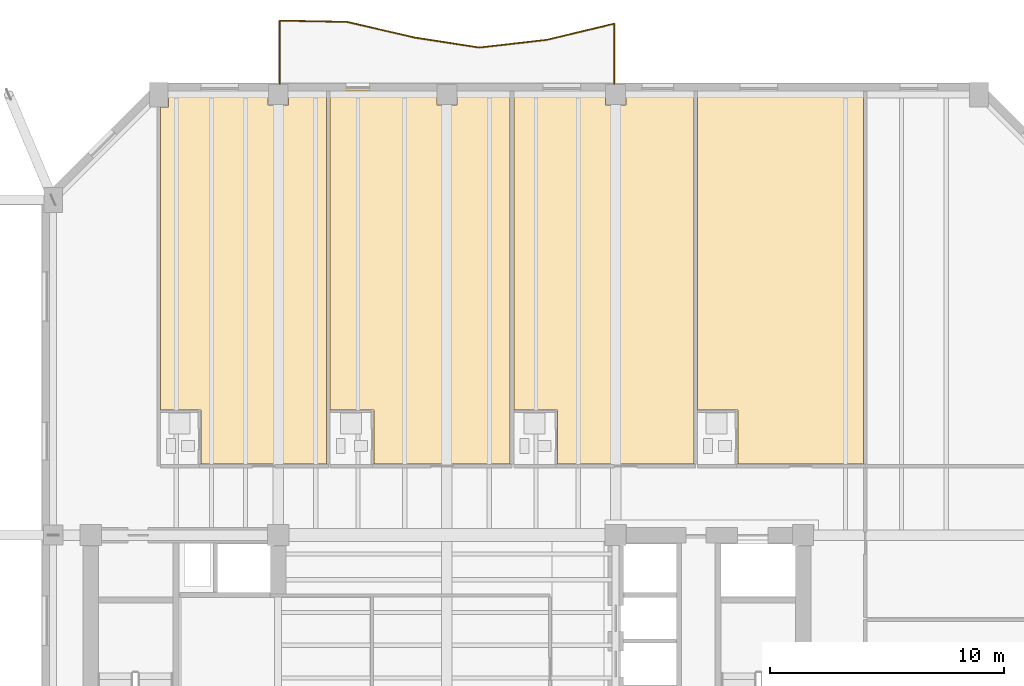
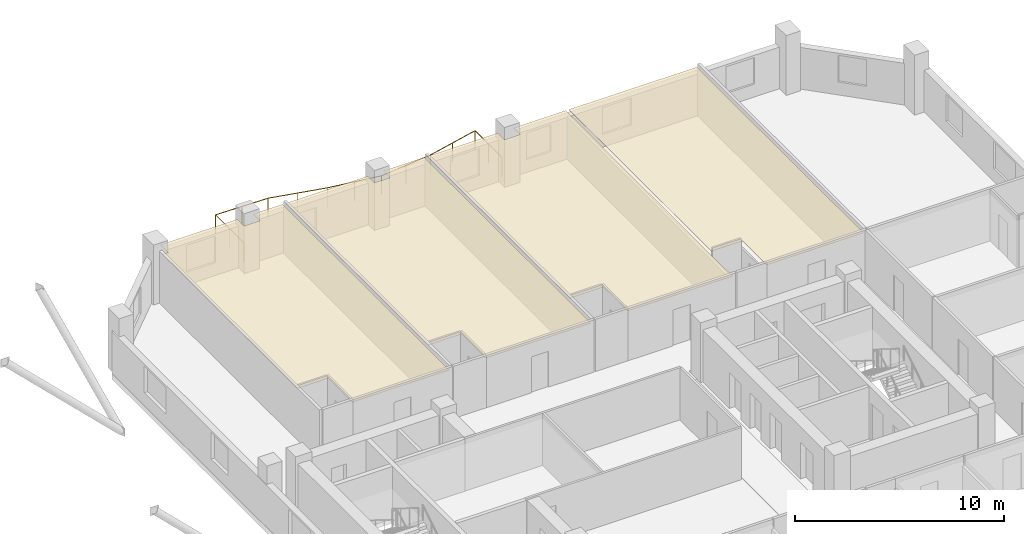
# One storey, part 12 of 13: 4 coverings, 1 railing.
"""IFC4 building model written with IfcOpenShell, lengths in metres."""

from ifc_helpers import new_model, si_unit, direction, frame, origin, origin_2d, place, context, subcontext, project, spatial, polyline, circle, outline, extrude, material, layer, layer_set, type_object, element, save


model = new_model("IFC4")

# Units and contexts
model_context = context("Model", 3, precision=1e-05, world=origin(), true_north=direction((0.0, 1.0)))
body_context = subcontext(model_context, "Body", "Model", "MODEL_VIEW")
ifc_project = project(units=[si_unit("LENGTHUNIT", "METRE"), si_unit("AREAUNIT", "SQUARE_METRE"), si_unit("VOLUMEUNIT", "CUBIC_METRE"), si_unit("PLANEANGLEUNIT", "RADIAN"), si_unit("MASSUNIT", "GRAM", prefix="KILO")], contexts=[model_context])

# Site, building, storey
site_placement = place(None, origin())
site = spatial("IfcSite", under=ifc_project, at=site_placement, CompositionType="ELEMENT")
building_placement = place(site_placement, origin())
building = spatial("IfcBuilding", under=site, at=building_placement, Name="Kranthara Brick Stack", CompositionType="ELEMENT")
storey_placement = place(building_placement, frame((0.0, 0.0, 179.800048828125)))
storey = spatial("IfcBuildingStorey", under=building, at=storey_placement, Name="L46", CompositionType="ELEMENT", Elevation=179.800048828125)

# Coverings
ifc_material_1 = material(Name="Perforated mineral-fibre acoustic ceiling tile", Category="other")
ifc_layer = layer(ifc_material_1, 0.02490234375)
ifc_layer_set = layer_set([ifc_layer], Name="Perforated mineral-fibre acoustic ceiling tile")
covering_type = type_object("IfcCoveringType", Name="COV-CEIL-ACOUSTIC", PredefinedType="CEILING", material=ifc_layer_set)
covering_1_placement = place(storey_placement, frame((0.0, 0.0, 2.780029296875)))
element("IfcCovering", 1, at=covering_1_placement, inside=storey, type_object=covering_type, Name="L46 Room L46-07 Corner Junior Suite Acoustic Ceiling", PredefinedType="CEILING", context=body_context, shape_type="SweptSolid", body=[
    extrude(outline(polyline([(22.85595703125, 36.6298828125), (17.49658203125, 36.6298828125), (17.49658203125, 38.93994140625), (15.780029296875, 38.93994140625), (15.780029296875, 51.864990234375), (16.110107421875, 51.864990234375), (16.110107421875, 52.60009765625), (20.364990234375, 52.60009765625), (20.364990234375, 51.965087890625), (21.235107421875, 51.965087890625), (21.235107421875, 52.60009765625), (22.85595703125, 52.60009765625), (22.85595703125, 36.6298828125)])), origin(), (0.0, 0.0, 1.0), 0.02490234375),
])
covering_2_placement = place(storey_placement, frame((0.0, 0.0, 2.780029296875)))
element("IfcCovering", 2, at=covering_2_placement, inside=storey, type_object=covering_type, Name="L46 Room L46-08 Corner Junior Suite Acoustic Ceiling", PredefinedType="CEILING", context=body_context, shape_type="SweptSolid", body=[
    extrude(outline(polyline([(30.695068359375, 52.60009765625), (30.695068359375, 36.6298828125), (24.87744140625, 36.6298828125), (24.87744140625, 38.93994140625), (23.01611328125, 38.93994140625), (23.01611328125, 52.60009765625), (27.56494140625, 52.60009765625), (27.56494140625, 51.965087890625), (28.43505859375, 51.965087890625), (28.43505859375, 52.60009765625), (30.695068359375, 52.60009765625)])), origin(), (0.0, 0.0, 1.0), 0.02490234375),
])
covering_3_placement = place(storey_placement, frame((0.0, 0.0, 2.780029296875)))
element("IfcCovering", 3, at=covering_3_placement, inside=storey, type_object=covering_type, Name="L46 Room L46-09 Corner Junior Suite Acoustic Ceiling", PredefinedType="CEILING", context=body_context, shape_type="SweptSolid", body=[
    extrude(outline(polyline([(38.533935546875, 52.60009765625), (38.533935546875, 36.6298828125), (32.71630859375, 36.6298828125), (32.71630859375, 38.93994140625), (30.85498046875, 38.93994140625), (30.85498046875, 52.60009765625), (34.764892578125, 52.60009765625), (34.764892578125, 51.965087890625), (35.635009765625, 51.965087890625), (35.635009765625, 52.60009765625), (38.533935546875, 52.60009765625)])), origin(), (0.0, 0.0, 1.0), 0.02490234375),
])
covering_4_placement = place(storey_placement, frame((0.0, 0.0, 2.780029296875)))
element("IfcCovering", 4, at=covering_4_placement, inside=storey, type_object=covering_type, Name="L46 Room L46-10 Corner Junior Suite Acoustic Ceiling", PredefinedType="CEILING", context=body_context, shape_type="SweptSolid", body=[
    extrude(outline(polyline([(40.41064453125, 36.6298828125), (45.77001953125, 36.6298828125), (45.77001953125, 52.60009765625), (38.694091796875, 52.60009765625), (38.694091796875, 38.93994140625), (40.41064453125, 38.93994140625), (40.41064453125, 36.6298828125)])), origin(), (0.0, 0.0, 1.0), 0.02490234375),
])

# Railing
ifc_material_2 = material(Name="Bronze anodised aluminium and laminated glass balustrade", Category="aluminium")
railing_type = type_object("IfcRailingType", Name="RL-BALC-1120", PredefinedType="BALUSTRADE", material=ifc_material_2)
railing_placement = place(storey_placement, frame((20.860107421875, 52.840087890625, 0.0)))
element("IfcRailing", 5, at=railing_placement, inside=storey, type_object=railing_type, Name="L46 North Rippling Balcony Balustrade", PredefinedType="BALUSTRADE", context=body_context, shape_type="SweptSolid", body=[
    extrude(circle(Radius=0.02392578125, at=origin_2d()), frame((0.0, 0.0, 1.09619140625), z_axis=(-0.000269493343, 0.999999963687, 0.0), x_axis=(-0.999999963687, -0.000269493343, 0.0)), (0.0, 0.0, 1.0), 2.7177734375),
    extrude(circle(Radius=0.02392578125, at=origin_2d()), frame((-0.000732421875, 2.7177734375, 1.09619140625), z_axis=(0.999816422825, -0.019160392738, 0.0), x_axis=(0.019160392738, 0.999816422825, 0.0)), (0.0, 0.0, 1.0), 2.879638671875),
    extrude(circle(Radius=0.02392578125, at=origin_2d()), frame((2.87841796875, 2.66259765625, 1.09619140625), z_axis=(0.974216925629, -0.225613345835, 0.0), x_axis=(0.225613345835, 0.974216925629, 0.0)), (0.0, 0.0, 1.0), 2.956298828125),
    extrude(circle(Radius=0.02392578125, at=origin_2d()), frame((5.758544921875, 1.99560546875, 1.09619140625), z_axis=(0.988244095231, -0.152884296911, 0.0), x_axis=(0.152884296911, 0.988244095231, 0.0)), (0.0, 0.0, 1.0), 2.794677734375),
    extrude(circle(Radius=0.02392578125, at=origin_2d()), frame((8.520263671875, 1.568359375, 1.09619140625), z_axis=(0.993561149828, 0.113297138323, 0.0), x_axis=(-0.113297138323, 0.993561149828, 0.0)), (0.0, 0.0, 1.0), 2.898193359375),
    extrude(circle(Radius=0.02392578125, at=origin_2d()), frame((11.39990234375, 1.896728515625, 1.09619140625), z_axis=(0.972397027004, 0.233332427822, 0.0), x_axis=(-0.233332427822, 0.972397027004, 0.0)), (0.0, 0.0, 1.0), 2.962158203125),
    extrude(circle(Radius=0.02392578125, at=origin_2d()), frame((14.2802734375, 2.587890625, 1.09619140625), z_axis=(-0.000188679242, -0.9999999822, 0.0), x_axis=(0.9999999822, -0.000188679242, 0.0)), (0.0, 0.0, 1.0), 2.587890625),
    extrude(circle(Radius=0.02099609375, at=origin_2d()), origin(), (0.0, 0.0, 1.0), 1.072021484375),
    extrude(circle(Radius=0.02099609375, at=origin_2d()), frame((-0.00048828125, 1.35888671875, 0.0)), (0.0, 0.0, 1.0), 1.072021484375),
    extrude(circle(Radius=0.02099609375, at=origin_2d()), frame((-0.000732421875, 2.7177734375, 0.0)), (0.0, 0.0, 1.0), 1.072021484375),
    extrude(circle(Radius=0.02099609375, at=origin_2d()), frame((1.43896484375, 2.690185546875, 0.0)), (0.0, 0.0, 1.0), 1.072021484375),
    extrude(circle(Radius=0.02099609375, at=origin_2d()), frame((2.87841796875, 2.66259765625, 0.0)), (0.0, 0.0, 1.0), 1.072021484375),
    extrude(circle(Radius=0.02099609375, at=origin_2d()), frame((4.318359375, 2.3291015625, 0.0)), (0.0, 0.0, 1.0), 1.072021484375),
    extrude(circle(Radius=0.02099609375, at=origin_2d()), frame((5.758544921875, 1.99560546875, 0.0)), (0.0, 0.0, 1.0), 1.072021484375),
    extrude(circle(Radius=0.02099609375, at=origin_2d()), frame((7.139404296875, 1.781982421875, 0.0)), (0.0, 0.0, 1.0), 1.072021484375),
    extrude(circle(Radius=0.02099609375, at=origin_2d()), frame((8.520263671875, 1.568359375, 0.0)), (0.0, 0.0, 1.0), 1.072021484375),
    extrude(circle(Radius=0.02099609375, at=origin_2d()), frame((9.9599609375, 1.732421875, 0.0)), (0.0, 0.0, 1.0), 1.072021484375),
    extrude(circle(Radius=0.02099609375, at=origin_2d()), frame((11.39990234375, 1.896728515625, 0.0)), (0.0, 0.0, 1.0), 1.072021484375),
    extrude(circle(Radius=0.02099609375, at=origin_2d()), frame((12.840087890625, 2.2421875, 0.0)), (0.0, 0.0, 1.0), 1.072021484375),
    extrude(circle(Radius=0.02099609375, at=origin_2d()), frame((14.2802734375, 2.587890625, 0.0)), (0.0, 0.0, 1.0), 1.072021484375),
    extrude(circle(Radius=0.02099609375, at=origin_2d()), frame((14.280029296875, 1.2939453125, 0.0)), (0.0, 0.0, 1.0), 1.072021484375),
    extrude(circle(Radius=0.02099609375, at=origin_2d()), frame((14.27978515625, 0.0, 0.0)), (0.0, 0.0, 1.0), 1.072021484375),
])

save(model, "model.ifc")
